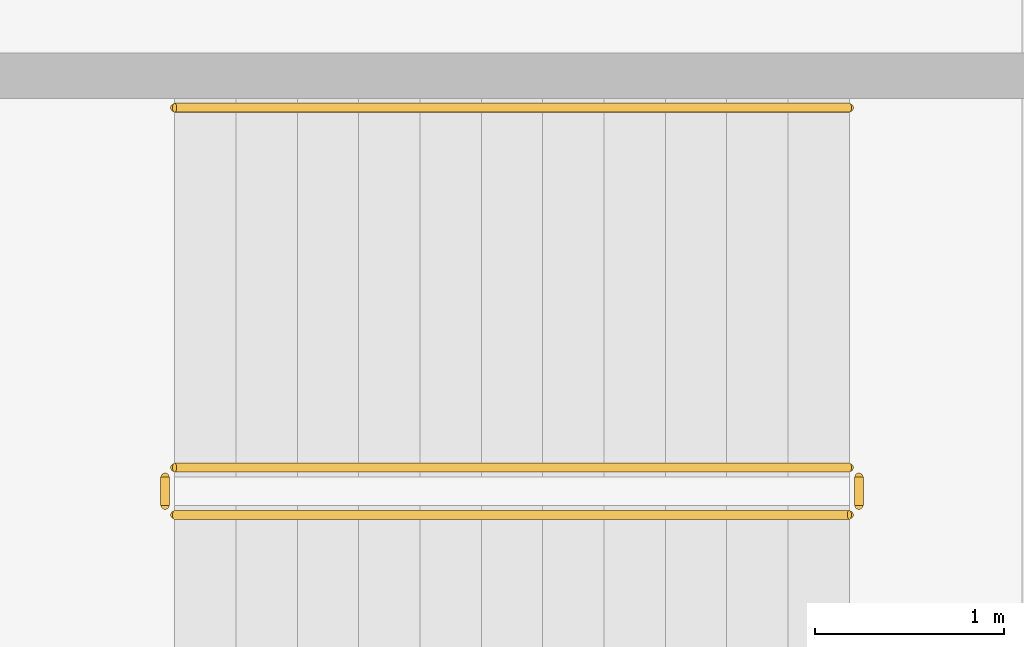
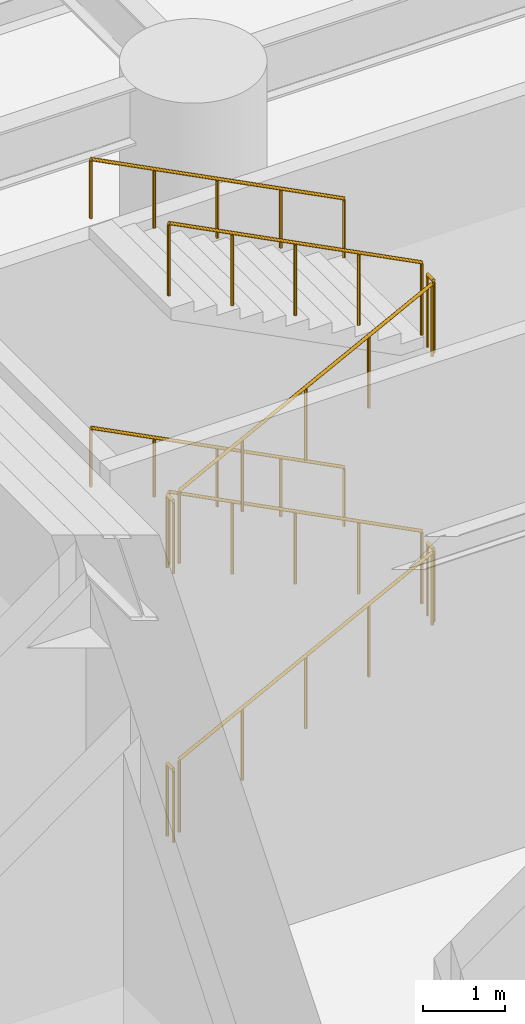
# One storey, part 23 of 25: 10 railings.
"""IFC4 building model written with IfcOpenShell, lengths in metres."""

from ifc_helpers import new_model, si_unit, direction, frame, origin, origin_2d, place, context, subcontext, project, spatial, circle, extrude, material, type_object, element, save


model = new_model("IFC4")

# Units and contexts
model_context = context("Model", 3, precision=1e-05, world=origin(), true_north=direction((0.0, 1.0)))
body_context = subcontext(model_context, "Body", "Model", "MODEL_VIEW")
ifc_project = project(units=[si_unit("LENGTHUNIT", "METRE"), si_unit("AREAUNIT", "SQUARE_METRE"), si_unit("VOLUMEUNIT", "CUBIC_METRE"), si_unit("PLANEANGLEUNIT", "RADIAN"), si_unit("MASSUNIT", "GRAM", prefix="KILO")], contexts=[model_context])

# Site, building, storey
site_placement = place(None, origin())
site = spatial("IfcSite", under=ifc_project, at=site_placement, CompositionType="ELEMENT")
building_placement = place(site_placement, origin())
building = spatial("IfcBuilding", under=site, at=building_placement, Name="Kolvaren Arena Tower", CompositionType="ELEMENT")
storey_placement = place(building_placement, origin())
storey = spatial("IfcBuildingStorey", under=building, at=storey_placement, Name="L00", CompositionType="ELEMENT", Elevation=0.0)

# Railings
ifc_material_1 = material(Name="Painted galvanized steel", Category="steel")
railing_type_1 = type_object("IfcRailingType", Name="GUARD-ST-110", PredefinedType="GUARDRAIL", material=ifc_material_1)
railing_1_placement = place(storey_placement, frame((63.199951171875, 38.14990234375, 0.166748046875)))
element("IfcRailing", 1, at=railing_1_placement, inside=storey, type_object=railing_type_1, Name="L00 ST-A8 stair guard 1", PredefinedType="GUARDRAIL", context=body_context, shape_type="SweptSolid", body=[
    extrude(circle(Radius=0.02392578125, at=origin_2d()), frame((0.0, 0.0, 1.076171875), z_axis=(0.889251698267, 0.0, 0.45741820813), x_axis=(0.0, 1.0, 0.0)), (0.0, 0.0, 1.0), 4.0078125),
    extrude(circle(Radius=0.02099609375, at=origin_2d()), origin(), (0.0, 0.0, 1.0), 1.052001953125),
    extrude(circle(Radius=0.02099609375, at=origin_2d()), frame((0.89111328125, 0.0, 0.458251953125)), (0.0, 0.0, 1.0), 1.052001953125),
    extrude(circle(Radius=0.02099609375, at=origin_2d()), frame((1.781982421875, 0.0, 0.91650390625)), (0.0, 0.0, 1.0), 1.052001953125),
    extrude(circle(Radius=0.02099609375, at=origin_2d()), frame((2.6728515625, 0.0, 1.375)), (0.0, 0.0, 1.0), 1.052001953125),
    extrude(circle(Radius=0.02099609375, at=origin_2d()), frame((3.56396484375, 0.0, 1.833251953125)), (0.0, 0.0, 1.0), 1.052001953125),
])
railing_2_placement = place(storey_placement, frame((66.81396484375, 38.199951171875, 2.0)))
element("IfcRailing", 2, at=railing_2_placement, inside=storey, type_object=railing_type_1, Name="L00 ST-A8 stair guard 2", PredefinedType="GUARDRAIL", context=body_context, shape_type="SweptSolid", body=[
    extrude(circle(Radius=0.02392578125, at=origin_2d()), frame((0.0, 0.0, 1.076171875), z_axis=(0.0, 1.0, 0.0), x_axis=(-1.0, 0.0, 0.0)), (0.0, 0.0, 1.0), 0.150146484375),
    extrude(circle(Radius=0.02099609375, at=origin_2d()), origin(), (0.0, 0.0, 1.0), 1.052001953125),
    extrude(circle(Radius=0.02099609375, at=origin_2d()), frame((0.0, 0.150146484375, 0.0)), (0.0, 0.0, 1.0), 1.052001953125),
])
railing_3_placement = place(storey_placement, frame((66.763916015625, 38.39990234375, 2.166748046875)))
element("IfcRailing", 3, at=railing_3_placement, inside=storey, type_object=railing_type_1, Name="L00 ST-A8 stair guard 3", PredefinedType="GUARDRAIL", context=body_context, shape_type="SweptSolid", body=[
    extrude(circle(Radius=0.02392578125, at=origin_2d()), frame((0.0, 0.0, 1.076171875), z_axis=(-0.889251698267, 0.0, 0.45741820813), x_axis=(0.0, -1.0, 0.0)), (0.0, 0.0, 1.0), 4.0078125),
    extrude(circle(Radius=0.02099609375, at=origin_2d()), origin(), (0.0, 0.0, 1.0), 1.052001953125),
    extrude(circle(Radius=0.02099609375, at=origin_2d()), frame((-0.89111328125, 0.0, 0.458251953125)), (0.0, 0.0, 1.0), 1.052001953125),
    extrude(circle(Radius=0.02099609375, at=origin_2d()), frame((-1.781982421875, 0.0, 0.91650390625)), (0.0, 0.0, 1.0), 1.052001953125),
    extrude(circle(Radius=0.02099609375, at=origin_2d()), frame((-2.6728515625, 0.0, 1.375)), (0.0, 0.0, 1.0), 1.052001953125),
    extrude(circle(Radius=0.02099609375, at=origin_2d()), frame((-3.56396484375, 0.0, 1.833251953125)), (0.0, 0.0, 1.0), 1.052001953125),
])
railing_4_placement = place(storey_placement, frame((63.14990234375, 38.199951171875, 4.0)))
element("IfcRailing", 4, at=railing_4_placement, inside=storey, type_object=railing_type_1, Name="L00 ST-A8 stair guard 4", PredefinedType="GUARDRAIL", context=body_context, shape_type="SweptSolid", body=[
    extrude(circle(Radius=0.02392578125, at=origin_2d()), frame((0.0, 0.0, 1.076171875), z_axis=(0.0, 1.0, 0.0), x_axis=(-1.0, 0.0, 0.0)), (0.0, 0.0, 1.0), 0.150146484375),
    extrude(circle(Radius=0.02099609375, at=origin_2d()), origin(), (0.0, 0.0, 1.0), 1.052001953125),
    extrude(circle(Radius=0.02099609375, at=origin_2d()), frame((0.0, 0.150146484375, 0.0)), (0.0, 0.0, 1.0), 1.052001953125),
])
railing_5_placement = place(storey_placement, frame((63.199951171875, 38.14990234375, 4.166748046875)))
element("IfcRailing", 5, at=railing_5_placement, inside=storey, type_object=railing_type_1, Name="L00 ST-A8 stair guard 5", PredefinedType="GUARDRAIL", context=body_context, shape_type="SweptSolid", body=[
    extrude(circle(Radius=0.02392578125, at=origin_2d()), frame((0.0, 0.0, 1.076171875), z_axis=(0.889251698267, 0.0, 0.45741820813), x_axis=(0.0, 1.0, 0.0)), (0.0, 0.0, 1.0), 4.0078125),
    extrude(circle(Radius=0.02099609375, at=origin_2d()), origin(), (0.0, 0.0, 1.0), 1.052001953125),
    extrude(circle(Radius=0.02099609375, at=origin_2d()), frame((0.89111328125, 0.0, 0.458251953125)), (0.0, 0.0, 1.0), 1.052001953125),
    extrude(circle(Radius=0.02099609375, at=origin_2d()), frame((1.781982421875, 0.0, 0.91650390625)), (0.0, 0.0, 1.0), 1.052001953125),
    extrude(circle(Radius=0.02099609375, at=origin_2d()), frame((2.6728515625, 0.0, 1.375)), (0.0, 0.0, 1.0), 1.052001953125),
    extrude(circle(Radius=0.02099609375, at=origin_2d()), frame((3.56396484375, 0.0, 1.833251953125)), (0.0, 0.0, 1.0), 1.052001953125),
])
railing_6_placement = place(storey_placement, frame((66.81396484375, 38.199951171875, 6.0)))
element("IfcRailing", 6, at=railing_6_placement, inside=storey, type_object=railing_type_1, Name="L00 ST-A8 stair guard 6", PredefinedType="GUARDRAIL", context=body_context, shape_type="SweptSolid", body=[
    extrude(circle(Radius=0.02392578125, at=origin_2d()), frame((0.0, 0.0, 1.076171875), z_axis=(0.0, 1.0, 0.0), x_axis=(-1.0, 0.0, 0.0)), (0.0, 0.0, 1.0), 0.150146484375),
    extrude(circle(Radius=0.02099609375, at=origin_2d()), origin(), (0.0, 0.0, 1.0), 1.052001953125),
    extrude(circle(Radius=0.02099609375, at=origin_2d()), frame((0.0, 0.150146484375, 0.0)), (0.0, 0.0, 1.0), 1.052001953125),
])
railing_7_placement = place(storey_placement, frame((66.763916015625, 38.39990234375, 6.166748046875)))
element("IfcRailing", 7, at=railing_7_placement, inside=storey, type_object=railing_type_1, Name="L00 ST-A8 stair guard 7", PredefinedType="GUARDRAIL", context=body_context, shape_type="SweptSolid", body=[
    extrude(circle(Radius=0.02392578125, at=origin_2d()), frame((0.0, 0.0, 1.076171875), z_axis=(-0.889251698267, 0.0, 0.45741820813), x_axis=(0.0, -1.0, 0.0)), (0.0, 0.0, 1.0), 4.0078125),
    extrude(circle(Radius=0.02099609375, at=origin_2d()), origin(), (0.0, 0.0, 1.0), 1.052001953125),
    extrude(circle(Radius=0.02099609375, at=origin_2d()), frame((-0.89111328125, 0.0, 0.458251953125)), (0.0, 0.0, 1.0), 1.052001953125),
    extrude(circle(Radius=0.02099609375, at=origin_2d()), frame((-1.781982421875, 0.0, 0.91650390625)), (0.0, 0.0, 1.0), 1.052001953125),
    extrude(circle(Radius=0.02099609375, at=origin_2d()), frame((-2.6728515625, 0.0, 1.375)), (0.0, 0.0, 1.0), 1.052001953125),
    extrude(circle(Radius=0.02099609375, at=origin_2d()), frame((-3.56396484375, 0.0, 1.833251953125)), (0.0, 0.0, 1.0), 1.052001953125),
])
railing_8_placement = place(storey_placement, frame((63.14990234375, 38.199951171875, 0.0)))
element("IfcRailing", 8, at=railing_8_placement, inside=storey, type_object=railing_type_1, Name="L00 ST-A8 stair guard 8", PredefinedType="GUARDRAIL", context=body_context, shape_type="SweptSolid", body=[
    extrude(circle(Radius=0.02392578125, at=origin_2d()), frame((0.0, 0.0, 1.076171875), z_axis=(0.0, 1.0, 0.0), x_axis=(-1.0, 0.0, 0.0)), (0.0, 0.0, 1.0), 0.150146484375),
    extrude(circle(Radius=0.02099609375, at=origin_2d()), origin(), (0.0, 0.0, 1.0), 1.052001953125),
    extrude(circle(Radius=0.02099609375, at=origin_2d()), frame((0.0, 0.150146484375, 0.0)), (0.0, 0.0, 1.0), 1.052001953125),
])
ifc_material_2 = material(Name="Brushed stainless steel handrail", Category="steel")
railing_type_2 = type_object("IfcRailingType", Name="HRAIL-900", PredefinedType="HANDRAIL", material=ifc_material_2)
for number, where, name in (
    (9, (66.763916015625, 40.300048828125, 2.166748046875), "L00 ST-A8 stair handrail 2"),
    (10, (66.763916015625, 40.300048828125, 6.166748046875), "L00 ST-A8 stair handrail 4"),
):
    element("IfcRailing", number, at=place(storey_placement, frame(where)), inside=storey, type_object=railing_type_2, Name=name, PredefinedType="HANDRAIL", context=body_context, shape_type="SweptSolid", body=[
        extrude(circle(Radius=0.02392578125, at=origin_2d()), frame((0.0, 0.0, 0.8759765625), z_axis=(-0.889251698267, 0.0, 0.45741820813), x_axis=(0.0, -1.0, 0.0)), (0.0, 0.0, 1.0), 4.0078125),
        extrude(circle(Radius=0.02099609375, at=origin_2d()), origin(), (0.0, 0.0, 1.0), 0.851806640625),
        extrude(circle(Radius=0.02099609375, at=origin_2d()), frame((-0.89111328125, 0.0, 0.458251953125)), (0.0, 0.0, 1.0), 0.851806640625),
        extrude(circle(Radius=0.02099609375, at=origin_2d()), frame((-1.781982421875, 0.0, 0.91650390625)), (0.0, 0.0, 1.0), 0.851806640625),
        extrude(circle(Radius=0.02099609375, at=origin_2d()), frame((-2.6728515625, 0.0, 1.375)), (0.0, 0.0, 1.0), 0.851806640625),
        extrude(circle(Radius=0.02099609375, at=origin_2d()), frame((-3.56396484375, 0.0, 1.833251953125)), (0.0, 0.0, 1.0), 0.851806640625),
    ])

save(model, "model.ifc")
